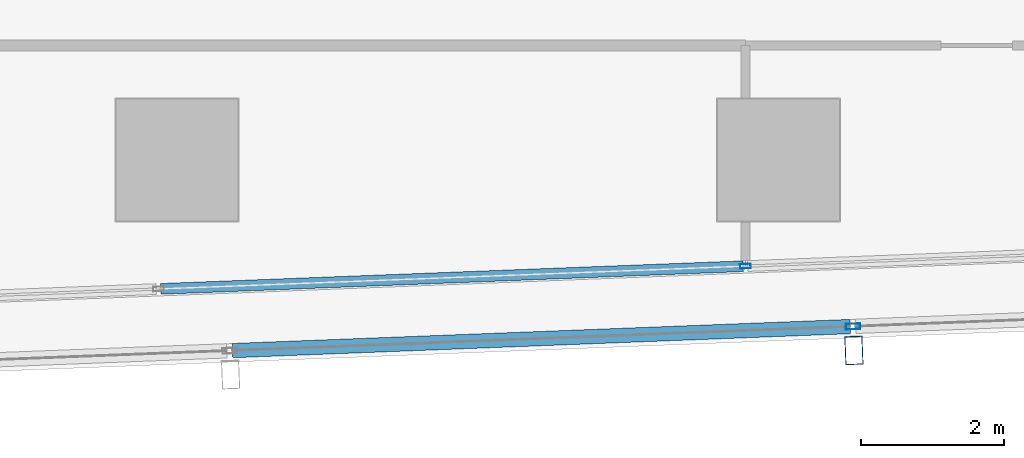
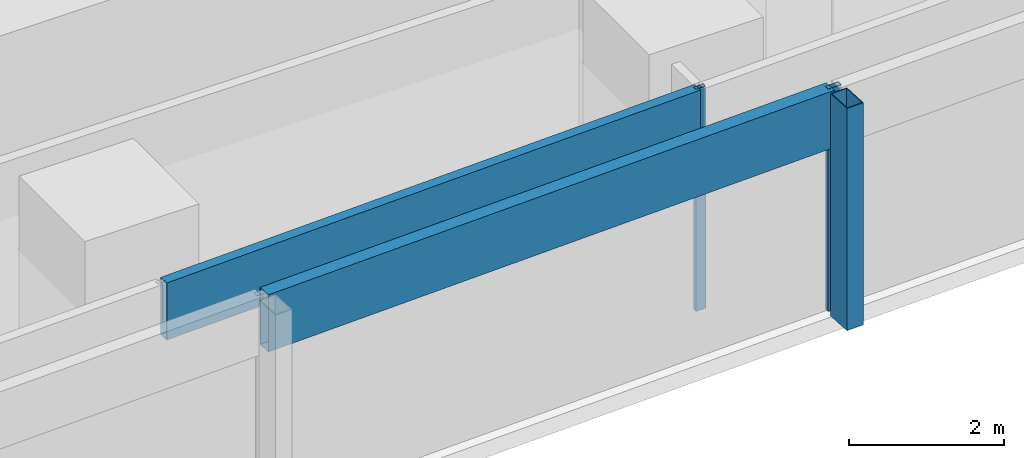
# One storey, part 10 of 40: 5 members, 2 elements without a shape of their own.
"""IFC4 building model written with IfcOpenShell, lengths in metres."""

from ifc_helpers import new_model, si_unit, direction, frame, origin, origin_2d, place, context, subcontext, project, spatial, hollow_rectangle, extrude, material, material_profile, profile_set, type_object, element, aggregate, save


model = new_model("IFC4")

# Units and contexts
model_context = context("Model", 3, precision=1e-05, world=origin(), true_north=direction((0.0, 1.0)))
body_context = subcontext(model_context, "Body", "Model", "MODEL_VIEW")
ifc_project = project(units=[si_unit("LENGTHUNIT", "METRE"), si_unit("AREAUNIT", "SQUARE_METRE"), si_unit("VOLUMEUNIT", "CUBIC_METRE"), si_unit("PLANEANGLEUNIT", "RADIAN"), si_unit("MASSUNIT", "GRAM", prefix="KILO")], contexts=[model_context])

# Site, building, storey
site_placement = place(None, origin())
site = spatial("IfcSite", under=ifc_project, at=site_placement, CompositionType="ELEMENT")
building_placement = place(site_placement, origin())
building = spatial("IfcBuilding", under=site, at=building_placement, Name="Rekha Terrace Tower", CompositionType="ELEMENT")
storey_placement = place(building_placement, frame((0.0, 0.0, 106.550048828125)))
storey = spatial("IfcBuildingStorey", under=building, at=storey_placement, Name="L26", CompositionType="ELEMENT", Elevation=106.550048828125)

# Curtain wall, member
ifc_material_1 = material(Name="Aluminium framing", Category="aluminium")
curtain_wall_type_1 = type_object("IfcCurtainWallType", Name="CW2 double skin outer glazing", PredefinedType="USERDEFINED", material=ifc_material_1)
curtain_wall_1_placement = place(storey_placement, origin())
curtain_wall_1 = element("IfcCurtainWall", 1, at=curtain_wall_1_placement, inside=storey, type_object=curtain_wall_type_1, Name="CW2 double skin outer glazing", ObjectType="DOUBLE SKIN OUTER GLAZING", PredefinedType="USERDEFINED")
ifc_material_2 = material(Name="Steel S355 with fluorocarbon finish", Category="steel")
ifc_material_profile_1 = material_profile(ifc_material_2, hollow_rectangle(XDim=0.25, YDim=0.39990234375, WallThickness=0.012451171875, at=origin_2d()), Name="RHS400x250x12.5")
ifc_profile_set_1 = profile_set([ifc_material_profile_1], Name="Steel S355 with fluorocarbon finish")
member_type_1 = type_object("IfcMemberType", Name="BL1 facade blade RHS 400 x 250", PredefinedType="USERDEFINED", material=ifc_profile_set_1)
member_1_placement = place(storey_placement, frame((51.4521484375, 14.141845703125, 0.0), z_axis=(0.0, 0.0, 1.0), x_axis=(0.999243494356, 0.038890088543, 0.0)))
member_1 = element("IfcMember", 2, at=member_1_placement, type_object=member_type_1, Name="Facade blade", ObjectType="FACADE BLADE", PredefinedType="USERDEFINED", context=body_context, shape_type="SweptSolid", body=[
    extrude(hollow_rectangle(XDim=0.25, YDim=0.39990234375, WallThickness=0.012451171875, at=origin_2d()), origin(), (0.0, 0.0, 1.0), 3.5),
])

# Curtain wall, members
curtain_wall_type_2 = type_object("IfcCurtainWallType", Name="CW1 double skin inner glazing", PredefinedType="USERDEFINED", material=ifc_material_1)
curtain_wall_2_placement = place(storey_placement, origin())
curtain_wall_2 = element("IfcCurtainWall", 3, at=curtain_wall_2_placement, inside=storey, type_object=curtain_wall_type_2, Name="CW1 double skin inner glazing", ObjectType="DOUBLE SKIN INNER GLAZING", PredefinedType="USERDEFINED")
ifc_material_3 = material(Name="Aluminium mullion section", Category="aluminium")
ifc_material_profile_2 = material_profile(ifc_material_3, hollow_rectangle(XDim=0.06494140625, YDim=0.14990234375, WallThickness=0.00390625, at=origin_2d()), Name="AL RHS 65x150")
ifc_profile_set_2 = profile_set([ifc_material_profile_2], Name="Aluminium mullion section")
member_type_2 = type_object("IfcMemberType", Name="CW1 mullion RHS 65 x 150", PredefinedType="MULLION", material=ifc_profile_set_2)
member_2_placement = place(storey_placement, frame((49.936767578125, 15.31884765625, 0.0), z_axis=(0.0, 0.0, 1.0), x_axis=(-0.038889971345, 0.999243498917, 0.0)))
member_2 = element("IfcMember", 4, at=member_2_placement, type_object=member_type_2, Name="CW1 mullion 4", PredefinedType="MULLION", context=body_context, shape_type="SweptSolid", body=[
    extrude(hollow_rectangle(XDim=0.06494140625, YDim=0.14990234375, WallThickness=0.00390625, at=origin_2d()), origin(), (0.0, 0.0, 1.0), 3.5),
])
ifc_material_4 = material(Name="Insulated aluminium spandrel box", Category="aluminium")
ifc_material_profile_3 = material_profile(ifc_material_4, hollow_rectangle(XDim=0.14990234375, YDim=0.89990234375, WallThickness=0.0029296875, at=origin_2d()), Name="AL SPANDREL BOX 150x900")
ifc_profile_set_3 = profile_set([ifc_material_profile_3], Name="Insulated aluminium spandrel box")
member_type_3 = type_object("IfcMemberType", Name="CW1 spandrel transom 150 x 900", PredefinedType="USERDEFINED", material=ifc_profile_set_3)
member_3_placement = place(storey_placement, frame((41.772705078125, 15.001220703125, 3.050048828125), z_axis=(0.999243835719, 0.038881316573, 0.0), x_axis=(-0.038881316573, 0.999243835719, 0.0)))
member_3 = element("IfcMember", 5, at=member_3_placement, type_object=member_type_3, Name="CW1 spandrel transom 3", ObjectType="TRANSOM", PredefinedType="USERDEFINED", context=body_context, shape_type="SweptSolid", body=[
    extrude(hollow_rectangle(XDim=0.14990234375, YDim=0.89990234375, WallThickness=0.0029296875, at=origin_2d()), origin(), (0.0, 0.0, 1.0), 8.1376953125),
])
aggregate(curtain_wall_2, [member_2, member_3])

# Member
ifc_material_profile_4 = material_profile(ifc_material_3, hollow_rectangle(XDim=0.080078125, YDim=0.199951171875, WallThickness=0.00390625, at=origin_2d()), Name="AL RHS 80x200")
ifc_profile_set_4 = profile_set([ifc_material_profile_4], Name="Aluminium mullion section")
member_type_4 = type_object("IfcMemberType", Name="CW2 mullion RHS 80 x 200", PredefinedType="MULLION", material=ifc_profile_set_4)
member_4_placement = place(storey_placement, frame((51.439208984375, 14.4765625, 0.0), z_axis=(0.0, 0.0, 1.0), x_axis=(-0.038889971345, 0.999243498917, 0.0)))
member_4 = element("IfcMember", 6, at=member_4_placement, type_object=member_type_4, Name="CW2 mullion 4", PredefinedType="MULLION", context=body_context, shape_type="SweptSolid", body=[
    extrude(hollow_rectangle(XDim=0.080078125, YDim=0.199951171875, WallThickness=0.00390625, at=origin_2d()), origin(), (0.0, 0.0, 1.0), 3.5),
])

ifc_material_profile_5 = material_profile(ifc_material_4, hollow_rectangle(XDim=0.199951171875, YDim=0.89990234375, WallThickness=0.0029296875, at=origin_2d()), Name="AL SPANDREL BOX 200x900")
ifc_profile_set_5 = profile_set([ifc_material_profile_5], Name="Insulated aluminium spandrel box")
member_type_5 = type_object("IfcMemberType", Name="CW2 spandrel transom 200 x 900", PredefinedType="USERDEFINED", material=ifc_profile_set_5)
member_5_placement = place(storey_placement, frame((42.774169921875, 14.139404296875, 3.050048828125), z_axis=(0.999243438523, 0.038891523097, 0.0), x_axis=(-0.038891523097, 0.999243438523, 0.0)))
member_5 = element("IfcMember", 7, at=member_5_placement, type_object=member_type_5, Name="CW2 spandrel transom 3", ObjectType="TRANSOM", PredefinedType="USERDEFINED", context=body_context, shape_type="SweptSolid", body=[
    extrude(hollow_rectangle(XDim=0.199951171875, YDim=0.89990234375, WallThickness=0.0029296875, at=origin_2d()), origin(), (0.0, 0.0, 1.0), 8.631591796875),
])

aggregate(curtain_wall_1, [member_4, member_5, member_1])

save(model, "model.ifc")
